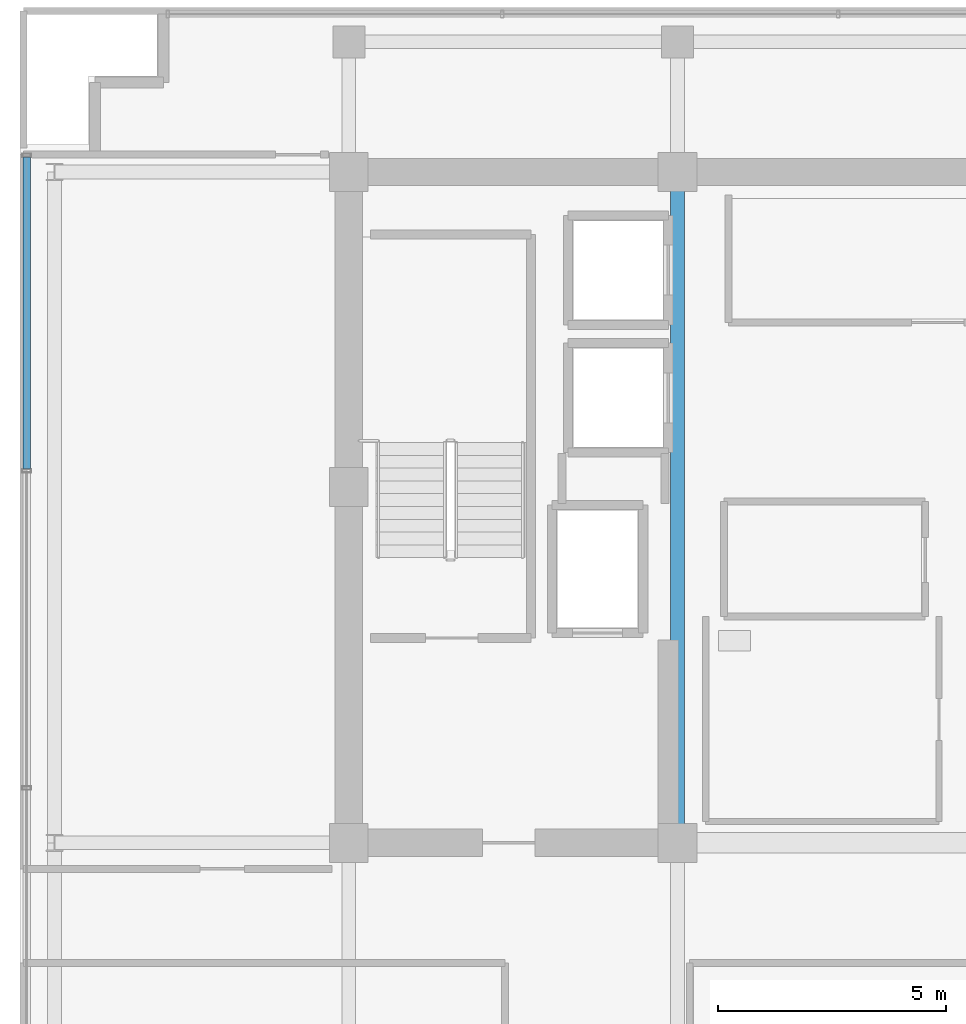
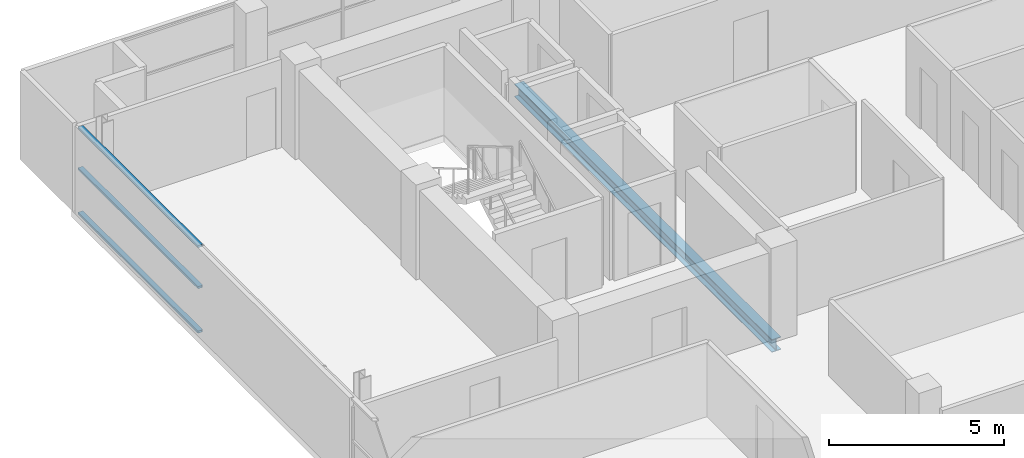
# One storey, part 10 of 29: 3 members, 1 beam, 1 element without a shape of its own.
"""IFC4 building model written with IfcOpenShell, lengths in metres."""

import ifcopenshell
import ifcopenshell.guid

model = None  # the IFC model being written
_history = None  # IfcOwnerHistory: only IFC2X3 demands one
_inside = {}  # id of a spatial element -> (the spatial element, [elements in it])
_under = {}  # id of a project, library or spatial element -> (it, [spatial elements below it])
_declared = {}  # id of a project -> (the project, [libraries it declares])
_typed = {}  # id of a type object -> (the type object, [elements of that type])
_made_of = {}  # id of a material, layer set ... -> (it, [elements and type objects made of it])


def new_model(schema):
    """Start an empty IFC model of exactly this schema.

    Asked for "IFC4X3", IfcOpenShell would pick the latest addendum, in which some entities
    have other attributes; the version numbers below select the first issue.
    IFC2X3 requires an IfcOwnerHistory on every rooted entity: one is made here for all.
    """
    global model, _history
    if schema == "IFC4X3":
        model = ifcopenshell.file(schema_version=(4, 3, 0, 0))
    else:
        model = ifcopenshell.file(schema=schema)
    _inside.clear()
    _under.clear()
    _declared.clear()
    _typed.clear()
    _made_of.clear()
    _history = None
    if model.schema == "IFC2X3":
        org = make("IfcOrganization", Name="unknown")
        user = make(
            "IfcPersonAndOrganization",
            ThePerson=make("IfcPerson", FamilyName="unknown"),
            TheOrganization=org,
        )
        app = make(
            "IfcApplication",
            ApplicationDeveloper=org,
            Version="unknown",
            ApplicationFullName="unknown",
            ApplicationIdentifier="unknown",
        )
        _history = make(
            "IfcOwnerHistory",
            OwningUser=user,
            OwningApplication=app,
            ChangeAction="ADDED",
            CreationDate=0,
        )
    return model


def make(cls, **values):
    """One entity of the class cls with the attributes given. An attribute that is None is left unset."""
    return model.create_entity(
        cls, **{name: value for name, value in values.items() if value is not None}
    )


def rooted(cls, **values):
    """An entity with a GlobalId (a new one), such as an element, a storey or a relation."""
    return make(cls, GlobalId=ifcopenshell.guid.new(), OwnerHistory=_history, **values)


def si_unit(unit_type, name, prefix=None):
    """IfcSIUnit, for example si_unit("LENGTHUNIT", "METRE", prefix="MILLI")."""
    return make("IfcSIUnit", UnitType=unit_type, Prefix=prefix, Name=name)


def assignment(units):
    """IfcUnitAssignment: the units of a project."""
    return None if units is None else make("IfcUnitAssignment", Units=units)


def point(xyz):
    """IfcCartesianPoint."""
    return None if xyz is None else make("IfcCartesianPoint", Coordinates=xyz)


def direction(xyz):
    """IfcDirection."""
    return None if xyz is None else make("IfcDirection", DirectionRatios=xyz)


def frame(location, z_axis=None, x_axis=None):
    """IfcAxis2Placement3D, a coordinate frame: its origin and axes. An axis left out is left unset."""
    return make(
        "IfcAxis2Placement3D",
        Location=point(location),
        Axis=direction(z_axis),
        RefDirection=direction(x_axis),
    )


def frame_2d(location, x_axis=None):
    """IfcAxis2Placement2D, a coordinate frame in the plane: its origin and x axis."""
    return make(
        "IfcAxis2Placement2D", Location=point(location), RefDirection=direction(x_axis)
    )


def origin():
    """The frame at (0, 0, 0) with its axes left unset."""
    return frame((0.0, 0.0, 0.0))


def origin_2d():
    """The frame at (0, 0) in the plane with its x axis left unset."""
    return frame_2d((0.0, 0.0))


def place(relative_to, where):
    """IfcLocalPlacement: puts the frame where relative to a parent placement (None: the world)."""
    return make(
        "IfcLocalPlacement", PlacementRelTo=relative_to, RelativePlacement=where
    )


def context(
    kind, dimensions, precision=None, world=None, true_north=None, identifier=None
):
    """IfcGeometricRepresentationContext, for example the 3D "Model" context."""
    return make(
        "IfcGeometricRepresentationContext",
        ContextIdentifier=identifier,
        ContextType=kind,
        CoordinateSpaceDimension=dimensions,
        Precision=precision,
        WorldCoordinateSystem=world,
        TrueNorth=true_north,
    )


def subcontext(parent, identifier, kind, view, scale=None):
    """IfcGeometricRepresentationSubContext, for example "Body" below "Model"."""
    return make(
        "IfcGeometricRepresentationSubContext",
        ContextIdentifier=identifier,
        ContextType=kind,
        ParentContext=parent,
        TargetScale=scale,
        TargetView=view,
    )


def project(units=None, contexts=None):
    """IfcProject with its units and contexts."""
    return rooted(
        "IfcProject",
        Name="project",
        RepresentationContexts=contexts,
        UnitsInContext=assignment(units),
    )


def spatial(cls, under=None, at=None, **own):
    """A site, building, storey or space (cls), placed at a placement, below another one or the project."""
    s = rooted(cls, ObjectPlacement=at, **own)
    if under is not None:
        _under.setdefault(under.id(), (under, []))[1].append(s)
    return s


def profile(cls, at=None, kind="AREA", **sizes):
    """A parametric profile (cls). Its sizes go by their IFC names, for example OverallWidth=200.0."""
    return make(cls, ProfileType=kind, Position=at, **sizes)


def hollow_rectangle(**sizes):
    """IfcRectangleHollowProfileDef."""
    return profile("IfcRectangleHollowProfileDef", **sizes)


def i_section(**sizes):
    """IfcIShapeProfileDef."""
    return profile("IfcIShapeProfileDef", **sizes)


def extrude(swept, where, along, depth):
    """IfcExtrudedAreaSolid: the profile swept, set in the frame where, extruded along a direction by depth."""
    return make(
        "IfcExtrudedAreaSolid",
        SweptArea=swept,
        Position=where,
        ExtrudedDirection=direction(along),
        Depth=depth,
    )


def shape(context_of_items, identifier, shape_type, items):
    """IfcShapeRepresentation: the items that make up one representation, for example the "Body"."""
    return make(
        "IfcShapeRepresentation",
        ContextOfItems=context_of_items,
        RepresentationIdentifier=identifier,
        RepresentationType=shape_type,
        Items=items,
    )


def source(mapping_origin, context_of_items, identifier, shape_type, items):
    """IfcRepresentationMap: a shape defined once, which mapped items show again and again."""
    return make(
        "IfcRepresentationMap",
        MappingOrigin=mapping_origin,
        MappedRepresentation=shape(context_of_items, identifier, shape_type, items),
    )


def transform(
    local_origin,
    x_axis=None,
    y_axis=None,
    z_axis=None,
    scale=None,
    scale2=None,
    scale3=None,
    uniform=True,
):
    """IfcCartesianTransformationOperator3D, or its non-uniform kind. x_axis, y_axis, z_axis: its Axis1, 2, 3."""
    if uniform:
        return make(
            "IfcCartesianTransformationOperator3D",
            Axis1=direction(x_axis),
            Axis2=direction(y_axis),
            LocalOrigin=point(local_origin),
            Scale=scale,
            Axis3=direction(z_axis),
        )
    return make(
        "IfcCartesianTransformationOperator3DnonUniform",
        Axis1=direction(x_axis),
        Axis2=direction(y_axis),
        LocalOrigin=point(local_origin),
        Scale=scale,
        Axis3=direction(z_axis),
        Scale2=scale2,
        Scale3=scale3,
    )


def mapped(mapping_source, mapping_target):
    """IfcMappedItem: shows the shape of a source again, moved by a transform."""
    return make(
        "IfcMappedItem", MappingSource=mapping_source, MappingTarget=mapping_target
    )


def material(Name=None, Category=None):
    """IfcMaterial."""
    return make("IfcMaterial", Name=Name, Category=Category)


def layer(
    of_material, thickness, ventilated=None, Name=None, Category=None, Priority=None
):
    """IfcMaterialLayer: one layer of a wall or slab, of a material (None: an air gap)."""
    return make(
        "IfcMaterialLayer",
        Material=of_material,
        LayerThickness=thickness,
        IsVentilated=ventilated,
        Name=Name,
        Category=Category,
        Priority=Priority,
    )


def layer_set(layers, Name=None):
    """IfcMaterialLayerSet."""
    return make("IfcMaterialLayerSet", MaterialLayers=layers, LayerSetName=Name)


def material_profile(
    of_material, cross_section, Name=None, Category=None, Priority=None
):
    """IfcMaterialProfile: a cross section and its material."""
    return make(
        "IfcMaterialProfile",
        Name=Name,
        Material=of_material,
        Profile=cross_section,
        Priority=Priority,
        Category=Category,
    )


def profile_set(profiles, Name=None, composite=None):
    """IfcMaterialProfileSet."""
    return make(
        "IfcMaterialProfileSet",
        Name=Name,
        MaterialProfiles=profiles,
        CompositeProfile=composite,
    )


def made_of(thing, what):
    """Note that an element or type object is made of a material, layer set ...; save() writes the relation."""
    if what is not None:
        _made_of.setdefault(what.id(), (what, []))[1].append(thing)
    return thing


def type_object(cls, material=None, **own):
    """A type object (cls), such as IfcWallType, which elements share."""
    return made_of(rooted(cls, **own), material)


def element(
    cls,
    number,
    at=None,
    inside=None,
    cuts=None,
    type_object=None,
    material=None,
    context=None,
    identifier="Body",
    shape_type=None,
    held_by="IfcProductDefinitionShape",
    body=None,
    shapes=None,
    **own,
):
    """One element of the class cls, such as IfcWall. Its Tag is "e" and its number.

    at: its placement. inside: the storey or other place that contains it. cuts: it is an
    opening in that element (IfcRelVoidsElement). A single representation is given by context,
    identifier, shape_type and body (its items); several are given by shapes. held_by: the class
    of the entity that holds the representations. save() writes the other relations.
    """
    e = rooted(cls, Tag="e%d" % number, ObjectPlacement=at, **own)
    if body is not None:
        shapes = [shape(context, identifier, shape_type, body)]
    if shapes is not None:
        e.Representation = make(held_by, Representations=shapes)
    if inside is not None:
        _inside.setdefault(inside.id(), (inside, []))[1].append(e)
    if cuts is not None:
        rooted(
            "IfcRelVoidsElement", RelatingBuildingElement=cuts, RelatedOpeningElement=e
        )
    if type_object is not None:
        _typed.setdefault(type_object.id(), (type_object, []))[1].append(e)
    return made_of(e, material)


def aggregate(whole, parts):
    """IfcRelAggregates: a whole, such as a stair, and the parts it consists of."""
    return rooted("IfcRelAggregates", RelatingObject=whole, RelatedObjects=parts)


def save(model, path):
    """Write the relations noted so far, then the file.

    IfcRelAggregates (storeys below a building ...), IfcRelContainedInSpatialStructure (elements
    in a storey), IfcRelDefinesByType, IfcRelAssociatesMaterial and IfcRelDeclares: one each for
    every whole, place, type object, material and project.
    """
    for whole, parts in _under.values():
        aggregate(whole, parts)
    for where, things in _inside.values():
        rooted(
            "IfcRelContainedInSpatialStructure",
            RelatedElements=things,
            RelatingStructure=where,
        )
    for kind, things in _typed.values():
        rooted("IfcRelDefinesByType", RelatedObjects=things, RelatingType=kind)
    for what, things in _made_of.values():
        rooted("IfcRelAssociatesMaterial", RelatedObjects=things, RelatingMaterial=what)
    for by, libraries in _declared.values():
        rooted("IfcRelDeclares", RelatingContext=by, RelatedDefinitions=libraries)
    model.write(path)


model = new_model("IFC4")

# Units and contexts
model_context = context("Model", 3, precision=1e-05, world=origin(), true_north=direction((0.0, 1.0)))
body_context = subcontext(model_context, "Body", "Model", "MODEL_VIEW")
ifc_project = project(units=[si_unit("LENGTHUNIT", "METRE"), si_unit("AREAUNIT", "SQUARE_METRE"), si_unit("VOLUMEUNIT", "CUBIC_METRE"), si_unit("PLANEANGLEUNIT", "RADIAN"), si_unit("MASSUNIT", "GRAM", prefix="KILO")], contexts=[model_context])

# Site, building, storey
site_placement = place(None, origin())
site = spatial("IfcSite", under=ifc_project, at=site_placement, CompositionType="ELEMENT")
building_placement = place(site_placement, origin())
building = spatial("IfcBuilding", under=site, at=building_placement, Name="Zarnakvel Exchange Tower", CompositionType="ELEMENT")
storey_placement = place(building_placement, frame((0.0, 0.0, 265.0)))
storey = spatial("IfcBuildingStorey", under=building, at=storey_placement, Name="L75", CompositionType="ELEMENT", Elevation=265.0)

# Beam
ifc_material_1 = material(Name="Steel S355", Category="steel")
ifc_material_profile_1 = material_profile(ifc_material_1, i_section(OverallWidth=0.300048828125, OverallDepth=0.449951171875, WebThickness=0.013916015625, FlangeThickness=0.02587890625, FilletRadius=0.027099609375, at=origin_2d()))
ifc_profile_set_1 = profile_set([ifc_material_profile_1], Name="Steel S355")
beam_type = type_object("IfcBeamType", Name="G-07", PredefinedType="BEAM", material=ifc_profile_set_1)
beam_placement = place(storey_placement, frame((-7.199951171875, -1.199951171875, -0.449951171875), z_axis=(0.0, 1.0, 0.0), x_axis=(-1.0, 0.0, 0.0)))
element("IfcBeam", 1, at=beam_placement, inside=storey, type_object=beam_type, Name="L75 Tower N-S Frame Beam", PredefinedType="BEAM", context=body_context, shape_type="SweptSolid", body=[
    extrude(i_section(OverallWidth=0.300048828125, OverallDepth=0.449951171875, WebThickness=0.013916015625, FlangeThickness=0.02587890625, FilletRadius=0.027099609375, at=origin_2d()), origin(), (0.0, 0.0, 1.0), 14.699951171875),
])

# Curtain wall, members
ifc_material_2 = material(Name="Architectural Bronze Anodised Aluminium", Category="aluminium")
ifc_layer = layer(ifc_material_2, 0.199951171875)
ifc_layer_set = layer_set([ifc_layer], Name="Architectural Bronze Anodised Aluminium")
curtain_wall_type = type_object("IfcCurtainWallType", Name="CW-04", PredefinedType="NOTDEFINED", material=ifc_layer_set)
curtain_wall_placement = place(storey_placement, origin())
curtain_wall = element("IfcCurtainWall", 2, at=curtain_wall_placement, inside=storey, type_object=curtain_wall_type, Name="L75 Curtain Wall CW-L75-W1 (CW-04)", PredefinedType="NOTDEFINED")
ifc_material_profile_2 = material_profile(ifc_material_2, hollow_rectangle(XDim=0.159912109375, YDim=0.074951171875, WallThickness=0.00390625, at=origin_2d()))
ifc_profile_set_2 = profile_set([ifc_material_profile_2], Name="Architectural Bronze Anodised Aluminium")
member_type = type_object("IfcMemberType", Name="CWT-04", PredefinedType="USERDEFINED", material=ifc_profile_set_2)
shared_shape = source(origin(), body_context, "Body", "SweptSolid", [
    extrude(hollow_rectangle(XDim=0.159912109375, YDim=0.074951171875, WallThickness=0.00390625, at=origin_2d()), origin(), (0.0, 0.0, 1.0), 6.83740234375),
])
member_1_placement = place(storey_placement, frame((-21.4599609375, 6.987548828125, 0.03759765625), z_axis=(0.0, 1.0, 0.0), x_axis=(-1.0, 0.0, 0.0)))
member_1 = element("IfcMember", 3, at=member_1_placement, type_object=member_type, Name="CW-04 transom 4.1", ObjectType="TRANSOM", PredefinedType="USERDEFINED", context=body_context, shape_type="MappedRepresentation", body=[
    mapped(shared_shape, transform((0.0, 0.0, 0.0), x_axis=(1.0, 0.0, 0.0), y_axis=(0.0, 1.0, 0.0), z_axis=(0.0, 0.0, 1.0), scale=1.0)),
])
member_2_placement = place(storey_placement, frame((-21.4599609375, 6.987548828125, 1.588623046875), z_axis=(0.0, 1.0, 0.0), x_axis=(-1.0, 0.0, 0.0)))
member_2 = element("IfcMember", 4, at=member_2_placement, type_object=member_type, Name="CW-04 transom 4.2", ObjectType="TRANSOM", PredefinedType="USERDEFINED", context=body_context, shape_type="MappedRepresentation", body=[
    mapped(shared_shape, transform((0.0, 0.0, 0.0), x_axis=(1.0, 0.0, 0.0), y_axis=(0.0, 1.0, 0.0), z_axis=(0.0, 0.0, 1.0), scale=1.0)),
])
member_3_placement = place(storey_placement, frame((-21.4599609375, 6.987548828125, 3.017578125), z_axis=(0.0, 1.0, 0.0), x_axis=(-1.0, 0.0, 0.0)))
member_3 = element("IfcMember", 5, at=member_3_placement, type_object=member_type, Name="CW-04 transom 4.3", ObjectType="TRANSOM", PredefinedType="USERDEFINED", context=body_context, shape_type="MappedRepresentation", body=[
    mapped(shared_shape, transform((0.0, 0.0, 0.0), x_axis=(1.0, 0.0, 0.0), y_axis=(0.0, 1.0, 0.0), z_axis=(0.0, 0.0, 1.0), scale=1.0)),
])
aggregate(curtain_wall, [member_1, member_2, member_3])

save(model, "model.ifc")
